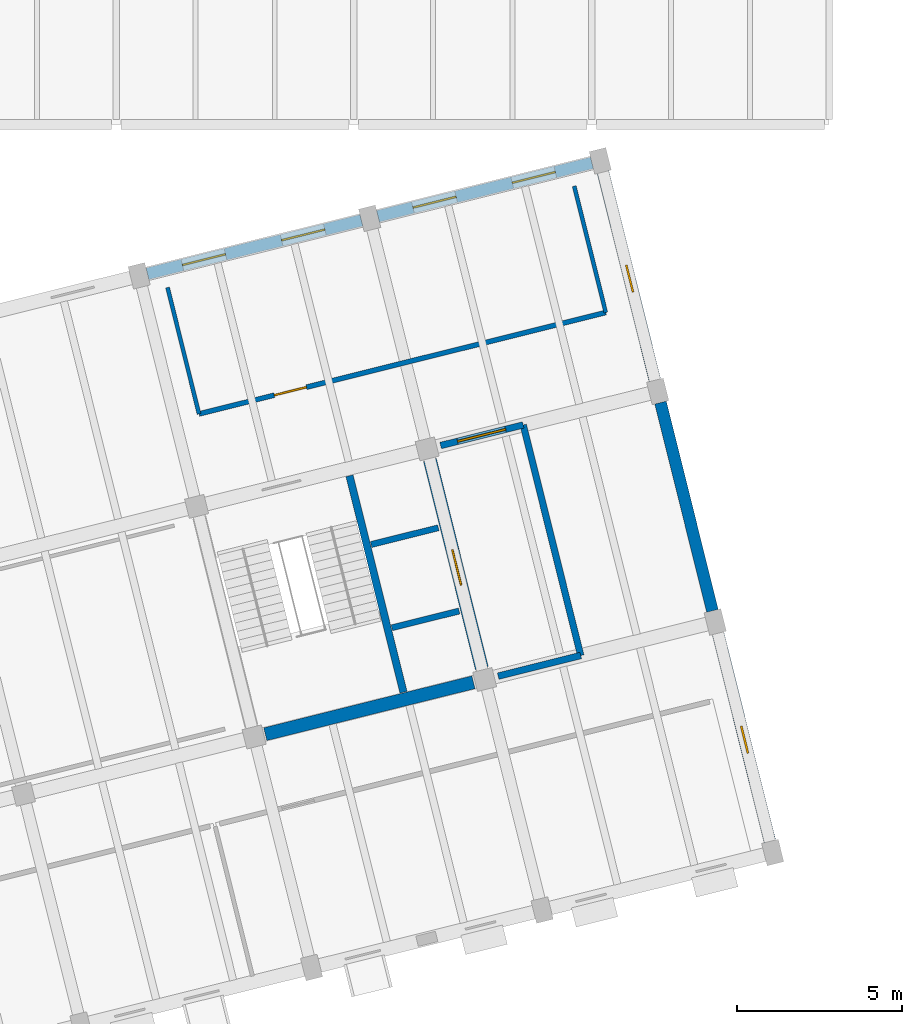
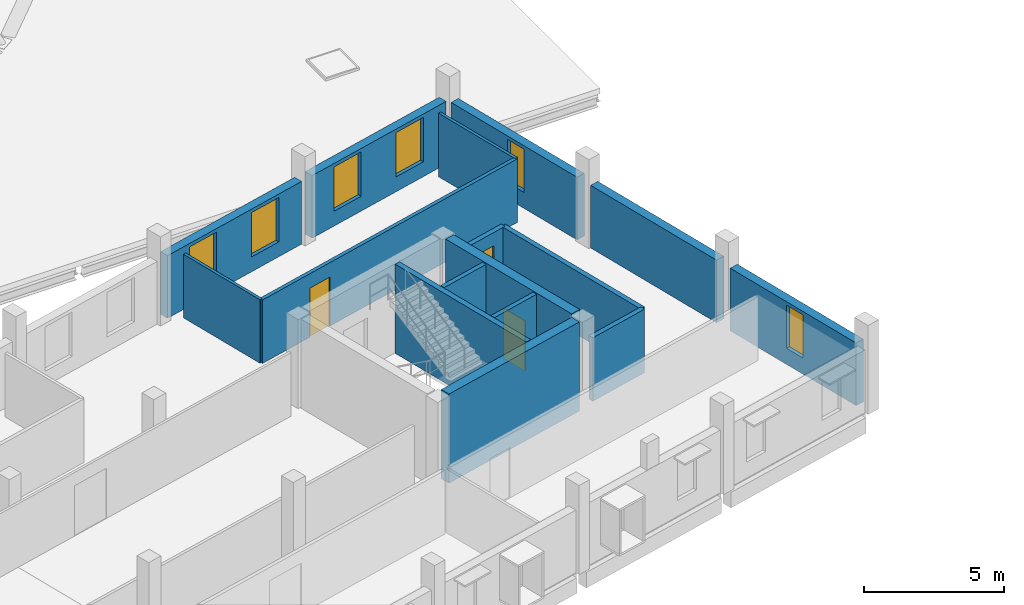
# One storey, part 25 of 32: 16 walls, 6 windows, 3 doors, 9 openings.
"""IFC4 building model written with IfcOpenShell, lengths in metres."""

from ifc_helpers import new_model, si_unit, direction, frame, frame_2d, origin, place, context, subcontext, project, spatial, rectangle, extrude, material, layer, layer_set, type_object, element, fill, save


model = new_model("IFC4")

# Units and contexts
model_context = context("Model", 3, precision=1e-05, world=origin(), true_north=direction((0.0, 1.0)))
body_context = subcontext(model_context, "Body", "Model", "MODEL_VIEW")
ifc_project = project(units=[si_unit("LENGTHUNIT", "METRE"), si_unit("AREAUNIT", "SQUARE_METRE"), si_unit("VOLUMEUNIT", "CUBIC_METRE"), si_unit("PLANEANGLEUNIT", "RADIAN"), si_unit("MASSUNIT", "GRAM", prefix="KILO")], contexts=[model_context])

# Site, building, storey
site_placement = place(None, origin())
site = spatial("IfcSite", under=ifc_project, at=site_placement, CompositionType="ELEMENT")
building_placement = place(site_placement, origin())
building = spatial("IfcBuilding", under=site, at=building_placement, Name="Qiaolan Assembly House", CompositionType="ELEMENT")
storey_placement = place(building_placement, frame((0.0, 0.0, 18.60009765625)))
storey = spatial("IfcBuildingStorey", under=building, at=storey_placement, Name="L04", CompositionType="ELEMENT", Elevation=18.60009765625)

# Wall
ifc_material_1 = material(Name="Concrete C45/55", Category="concrete")
ifc_layer_1 = layer(ifc_material_1, 0.39990234375)
ifc_layer_set_1 = layer_set([ifc_layer_1], Name="Concrete C45/55")
wall_type_1 = type_object("IfcWallType", Name="WAL-CORE-400", PredefinedType="SHEAR", material=ifc_layer_set_1)
wall_1_placement = place(storey_placement, frame((76.5146484375, 17.521728515625, 0.0), z_axis=(0.0, 0.0, 1.0), x_axis=(0.970294759049, 0.241925774902, 0.0)))
element("IfcWall", 1, at=wall_1_placement, inside=storey, type_object=wall_type_1, Name="CW-400 shear core wall CORE-D S L04", PredefinedType="SHEAR", context=body_context, shape_type="SweptSolid", body=[
    extrude(rectangle(XDim=6.5, YDim=0.39990234375, at=frame_2d((3.25, 0.0))), origin(), (0.0, 0.0, 1.0), 3.89990234375),
])

# Wall, opening, door
wall_2_placement = place(storey_placement, frame((83.076416015625, 19.5185546875, 0.0), z_axis=(0.0, 0.0, 1.0), x_axis=(-0.241925774902, 0.970294759049, 0.0)))
wall_2 = element("IfcWall", 2, at=wall_2_placement, inside=storey, type_object=wall_type_1, Name="CW-400 shear core wall CORE-D E L04", PredefinedType="SHEAR", context=body_context, shape_type="SweptSolid", body=[
    extrude(rectangle(XDim=6.5, YDim=0.39990234375, at=frame_2d((3.25, 0.0))), origin(), (0.0, 0.0, 1.0), 3.89990234375),
])
opening_1_placement = place(wall_2_placement, frame((2.60009765625, 0.0, 0.0)))
opening_1 = element("IfcOpeningElement", 3, at=opening_1_placement, cuts=wall_2, Name="Opening LD-062", PredefinedType="OPENING", context=body_context, shape_type="SweptSolid", body=[
    extrude(rectangle(XDim=1.10009765625, YDim=2.199951171875, at=frame_2d((0.550048828125, 1.10009765625))), frame((0.0, 0.2099609375, 0.0), z_axis=(0.0, -1.0, 0.0), x_axis=(1.0, 0.0, 0.0)), (0.0, 0.0, 1.0), 0.419921875),
])
ifc_material_2 = material(Name="Anodised bronze aluminium", Category="aluminium")
door_type_1 = type_object("IfcDoorType", Name="DOR-LIFT-LD1100", OperationType="SLIDING_TO_LEFT", PredefinedType="DOOR", material=ifc_material_2)
door_1_placement = place(opening_1_placement, origin())
door_1 = element("IfcDoor", 4, at=door_1_placement, inside=storey, type_object=door_type_1, Name="Lift landing door LD-062 (LF-08 L04)", OperationType="SLIDING_TO_LEFT", OverallHeight=2.199951171875, OverallWidth=1.10009765625, PredefinedType="DOOR", context=body_context, shape_type="SweptSolid", body=[
    extrude(rectangle(XDim=1.10009765625, YDim=2.199951171875, at=frame_2d((0.550048828125, 1.10009765625))), frame((0.0, 0.02490234375, 0.0), z_axis=(0.0, -1.0, 0.0), x_axis=(1.0, 0.0, 0.0)), (0.0, 0.0, 1.0), 0.050048828125),
])
fill(opening_1, door_1)

# Wall, openings, windows
ifc_material_3 = material(Name="Honed pale limestone", Category="masonry")
ifc_layer_2 = layer(ifc_material_3, 0.360107421875)
ifc_layer_set_2 = layer_set([ifc_layer_2], Name="Honed pale limestone")
wall_type_2 = type_object("IfcWallType", Name="WAL-EXT-LIMESTONE-360", PredefinedType="SOLIDWALL", material=ifc_layer_set_2)
wall_3_placement = place(storey_placement, frame((79.427001953125, 33.0888671875, 0.0), z_axis=(0.0, 0.0, 1.0), x_axis=(-0.970297004388, -0.241916769314, 0.0)))
wall_3 = element("IfcWall", 5, at=wall_3_placement, inside=storey, type_object=wall_type_2, Name="EW-360 SE North court wall L04 bay 6", PredefinedType="SOLIDWALL", context=body_context, shape_type="SweptSolid", body=[
    extrude(rectangle(XDim=6.683837890625, YDim=0.360107421875, at=frame_2d((3.341796875, 0.0))), origin(), (0.0, 0.0, 1.0), 2.739990234375),
])
opening_2_placement = place(wall_3_placement, frame((1.14208984375, 0.0, 0.64990234375)))
opening_2 = element("IfcOpeningElement", 6, at=opening_2_placement, cuts=wall_3, Name="Opening WN-364", PredefinedType="OPENING", context=body_context, shape_type="SweptSolid", body=[
    extrude(rectangle(XDim=1.35009765625, YDim=1.93994140625, at=frame_2d((0.675048828125, 0.969970703125))), frame((0.0, 0.18994140625, 0.0), z_axis=(0.0, -1.0, 0.0), x_axis=(1.0, 0.0, 0.0)), (0.0, 0.0, 1.0), 0.380126953125),
])
opening_3_placement = place(wall_3_placement, frame((4.241943359375, 0.0, 0.64990234375)))
opening_3 = element("IfcOpeningElement", 7, at=opening_3_placement, cuts=wall_3, Name="Opening WN-365", PredefinedType="OPENING", context=body_context, shape_type="SweptSolid", body=[
    extrude(rectangle(XDim=1.35009765625, YDim=1.93994140625, at=frame_2d((0.675048828125, 0.969970703125))), frame((0.0, 0.18994140625, 0.0), z_axis=(0.0, -1.0, 0.0), x_axis=(1.0, 0.0, 0.0)), (0.0, 0.0, 1.0), 0.380126953125),
])
ifc_material_4 = material(Name="Low-E double insulating glass", Category="glass")
window_type_1 = type_object("IfcWindowType", Name="WIN-COURT-1350x2150", PartitioningType="DOUBLE_PANEL_VERTICAL", PredefinedType="WINDOW", material=ifc_material_4)
window_1_placement = place(opening_2_placement, origin())
window_1 = element("IfcWindow", 8, at=window_1_placement, inside=storey, type_object=window_type_1, Name="SE court window WN-364", OverallHeight=1.93994140625, OverallWidth=1.35009765625, PartitioningType="DOUBLE_PANEL_VERTICAL", PredefinedType="WINDOW", context=body_context, shape_type="SweptSolid", body=[
    extrude(rectangle(XDim=1.35009765625, YDim=1.93994140625, at=frame_2d((0.675048828125, 0.969970703125))), frame((0.0, 0.030029296875, 0.0), z_axis=(0.0, -1.0, 0.0), x_axis=(1.0, 0.0, 0.0)), (0.0, 0.0, 1.0), 0.06005859375),
])
fill(opening_2, window_1)
window_2_placement = place(opening_3_placement, origin())
window_2 = element("IfcWindow", 9, at=window_2_placement, inside=storey, type_object=window_type_1, Name="SE court window WN-365", OverallHeight=1.93994140625, OverallWidth=1.35009765625, PartitioningType="DOUBLE_PANEL_VERTICAL", PredefinedType="WINDOW", context=body_context, shape_type="SweptSolid", body=[
    extrude(rectangle(XDim=1.35009765625, YDim=1.93994140625, at=frame_2d((0.675048828125, 0.969970703125))), frame((0.0, 0.030029296875, 0.0), z_axis=(0.0, -1.0, 0.0), x_axis=(1.0, 0.0, 0.0)), (0.0, 0.0, 1.0), 0.06005859375),
])
fill(opening_3, window_2)

wall_4_placement = place(storey_placement, frame((86.4130859375, 34.83056640625, 0.0), z_axis=(0.0, 0.0, 1.0), x_axis=(-0.970297004388, -0.241916769314, 0.0)))
wall_4 = element("IfcWall", 10, at=wall_4_placement, inside=storey, type_object=wall_type_2, Name="EW-360 SE North court wall L04 bay 7", PredefinedType="SOLIDWALL", context=body_context, shape_type="SweptSolid", body=[
    extrude(rectangle(XDim=6.683837890625, YDim=0.360107421875, at=frame_2d((3.341796875, 0.0))), origin(), (0.0, 0.0, 1.0), 2.739990234375),
])
opening_4_placement = place(wall_4_placement, frame((1.14208984375, 0.0, 0.64990234375)))
opening_4 = element("IfcOpeningElement", 11, at=opening_4_placement, cuts=wall_4, Name="Opening WN-366", PredefinedType="OPENING", context=body_context, shape_type="SweptSolid", body=[
    extrude(rectangle(XDim=1.35009765625, YDim=1.93994140625, at=frame_2d((0.675048828125, 0.969970703125))), frame((0.0, 0.18994140625, 0.0), z_axis=(0.0, -1.0, 0.0), x_axis=(1.0, 0.0, 0.0)), (0.0, 0.0, 1.0), 0.380126953125),
])
opening_5_placement = place(wall_4_placement, frame((4.241943359375, 0.0, 0.64990234375)))
opening_5 = element("IfcOpeningElement", 12, at=opening_5_placement, cuts=wall_4, Name="Opening WN-367", PredefinedType="OPENING", context=body_context, shape_type="SweptSolid", body=[
    extrude(rectangle(XDim=1.35009765625, YDim=1.93994140625, at=frame_2d((0.675048828125, 0.969970703125))), frame((0.0, 0.18994140625, 0.0), z_axis=(0.0, -1.0, 0.0), x_axis=(1.0, 0.0, 0.0)), (0.0, 0.0, 1.0), 0.380126953125),
])
window_3_placement = place(opening_4_placement, origin())
window_3 = element("IfcWindow", 13, at=window_3_placement, inside=storey, type_object=window_type_1, Name="SE court window WN-366", OverallHeight=1.93994140625, OverallWidth=1.35009765625, PartitioningType="DOUBLE_PANEL_VERTICAL", PredefinedType="WINDOW", context=body_context, shape_type="SweptSolid", body=[
    extrude(rectangle(XDim=1.35009765625, YDim=1.93994140625, at=frame_2d((0.675048828125, 0.969970703125))), frame((0.0, 0.030029296875, 0.0), z_axis=(0.0, -1.0, 0.0), x_axis=(1.0, 0.0, 0.0)), (0.0, 0.0, 1.0), 0.06005859375),
])
fill(opening_4, window_3)
window_4_placement = place(opening_5_placement, origin())
window_4 = element("IfcWindow", 14, at=window_4_placement, inside=storey, type_object=window_type_1, Name="SE court window WN-367", OverallHeight=1.93994140625, OverallWidth=1.35009765625, PartitioningType="DOUBLE_PANEL_VERTICAL", PredefinedType="WINDOW", context=body_context, shape_type="SweptSolid", body=[
    extrude(rectangle(XDim=1.35009765625, YDim=1.93994140625, at=frame_2d((0.675048828125, 0.969970703125))), frame((0.0, 0.030029296875, 0.0), z_axis=(0.0, -1.0, 0.0), x_axis=(1.0, 0.0, 0.0)), (0.0, 0.0, 1.0), 0.06005859375),
])
fill(opening_5, window_4)

# Wall, opening, window
wall_5_placement = place(storey_placement, frame((91.804931640625, 14.2724609375, 0.0), z_axis=(0.0, 0.0, 1.0), x_axis=(-0.241926152475, 0.970294664908, 0.0)))
wall_5 = element("IfcWall", 15, at=wall_5_placement, inside=storey, type_object=wall_type_2, Name="SE East wall L04-1", PredefinedType="SOLIDWALL", context=body_context, shape_type="SweptSolid", body=[
    extrude(rectangle(XDim=6.50390625, YDim=0.360107421875, at=frame_2d((3.251953125, 0.0))), origin(), (0.0, 0.0, 1.0), 2.739990234375),
])
opening_6_placement = place(wall_5_placement, frame((2.751953125, 0.0, 0.699951171875)))
opening_6 = element("IfcOpeningElement", 16, at=opening_6_placement, cuts=wall_5, Name="Opening WN-368", PredefinedType="OPENING", context=body_context, shape_type="SweptSolid", body=[
    extrude(rectangle(XDim=0.85009765625, YDim=1.889892578125, at=frame_2d((0.425048828125, 0.94482421875))), frame((0.0, 0.18994140625, 0.0), z_axis=(0.0, -1.0, 0.0), x_axis=(1.0, 0.0, 0.0)), (0.0, 0.0, 1.0), 0.380126953125),
])
window_type_2 = type_object("IfcWindowType", Name="WIN-END-850x2200", PartitioningType="SINGLE_PANEL", PredefinedType="WINDOW", material=ifc_material_4)
window_5_placement = place(opening_6_placement, origin())
window_5 = element("IfcWindow", 17, at=window_5_placement, inside=storey, type_object=window_type_2, Name="SE East window WN-368", OverallHeight=1.889892578125, OverallWidth=0.85009765625, PartitioningType="SINGLE_PANEL", PredefinedType="WINDOW", context=body_context, shape_type="SweptSolid", body=[
    extrude(rectangle(XDim=0.85009765625, YDim=1.889892578125, at=frame_2d((0.425048828125, 0.94482421875))), frame((0.0, 0.030029296875, 0.0), z_axis=(0.0, -1.0, 0.0), x_axis=(1.0, 0.0, 0.0)), (0.0, 0.0, 1.0), 0.06005859375),
])
fill(opening_6, window_5)

# Wall
wall_6_placement = place(storey_placement, frame((90.06298828125, 21.258544921875, 0.0), z_axis=(0.0, 0.0, 1.0), x_axis=(-0.241926152475, 0.970294664908, 0.0)))
element("IfcWall", 18, at=wall_6_placement, inside=storey, type_object=wall_type_2, Name="SE East wall L04-2", PredefinedType="SOLIDWALL", context=body_context, shape_type="SweptSolid", body=[
    extrude(rectangle(XDim=6.50390625, YDim=0.360107421875, at=frame_2d((3.251953125, 0.0))), origin(), (0.0, 0.0, 1.0), 2.739990234375),
])

# Wall, opening, window
wall_7_placement = place(storey_placement, frame((88.3212890625, 28.24462890625, 0.0), z_axis=(0.0, 0.0, 1.0), x_axis=(-0.241926152475, 0.970294664908, 0.0)))
wall_7 = element("IfcWall", 19, at=wall_7_placement, inside=storey, type_object=wall_type_2, Name="SE East wall L04-3", PredefinedType="SOLIDWALL", context=body_context, shape_type="SweptSolid", body=[
    extrude(rectangle(XDim=6.50390625, YDim=0.360107421875, at=frame_2d((3.251953125, 0.0))), origin(), (0.0, 0.0, 1.0), 2.739990234375),
])
opening_7_placement = place(wall_7_placement, frame((2.751953125, 0.0, 0.699951171875)))
opening_7 = element("IfcOpeningElement", 20, at=opening_7_placement, cuts=wall_7, Name="Opening WN-369", PredefinedType="OPENING", context=body_context, shape_type="SweptSolid", body=[
    extrude(rectangle(XDim=0.85009765625, YDim=1.889892578125, at=frame_2d((0.425048828125, 0.94482421875))), frame((0.0, 0.18994140625, 0.0), z_axis=(0.0, -1.0, 0.0), x_axis=(1.0, 0.0, 0.0)), (0.0, 0.0, 1.0), 0.380126953125),
])
window_6_placement = place(opening_7_placement, origin())
window_6 = element("IfcWindow", 21, at=window_6_placement, inside=storey, type_object=window_type_2, Name="SE East window WN-369", OverallHeight=1.889892578125, OverallWidth=0.85009765625, PartitioningType="SINGLE_PANEL", PredefinedType="WINDOW", context=body_context, shape_type="SweptSolid", body=[
    extrude(rectangle(XDim=0.85009765625, YDim=1.889892578125, at=frame_2d((0.425048828125, 0.94482421875))), frame((0.0, 0.030029296875, 0.0), z_axis=(0.0, -1.0, 0.0), x_axis=(1.0, 0.0, 0.0)), (0.0, 0.0, 1.0), 0.06005859375),
])
fill(opening_7, window_6)

# Walls
ifc_material_5 = material(Name="Concrete C35/45", Category="concrete")
ifc_layer_3 = layer(ifc_material_5, 0.199951171875)
ifc_layer_set_3 = layer_set([ifc_layer_3], Name="Concrete C35/45")
wall_type_3 = type_object("IfcWallType", Name="WAL-LOBBY-200", PredefinedType="PARTITIONING", material=ifc_layer_set_3)
wall_8_placement = place(storey_placement, frame((86.072021484375, 19.90478515625, 0.0), z_axis=(0.0, 0.0, 1.0), x_axis=(-0.241937193493, 0.970291911955, 0.0)))
element("IfcWall", 22, at=wall_8_placement, inside=storey, type_object=wall_type_3, Name="Firefighting lift lobby east wall CORE-D L04", PredefinedType="PARTITIONING", context=body_context, shape_type="SweptSolid", body=[
    extrude(rectangle(XDim=7.199951171875, YDim=0.199951171875, at=frame_2d((3.60009765625, 0.0))), origin(), (0.0, 0.0, 1.0), 2.77978515625),
])
wall_9_placement = place(storey_placement, frame((83.568603515625, 19.280517578125, 0.0), z_axis=(0.0, 0.0, 1.0), x_axis=(0.970287048366, 0.241956698135, 0.0)))
element("IfcWall", 23, at=wall_9_placement, inside=storey, type_object=wall_type_3, Name="Firefighting lift lobby south wall CORE-D L04", PredefinedType="PARTITIONING", context=body_context, shape_type="SweptSolid", body=[
    extrude(rectangle(XDim=2.580078125, YDim=0.199951171875, at=frame_2d((1.2900390625, 0.0))), origin(), (0.0, 0.0, 1.0), 2.77978515625),
])

# Wall, opening, door
wall_10_placement = place(storey_placement, frame((84.330078125, 26.890869140625, 0.0), z_axis=(0.0, 0.0, 1.0), x_axis=(-0.970309259708, -0.2418676095, 0.0)))
wall_10 = element("IfcWall", 24, at=wall_10_placement, inside=storey, type_object=wall_type_3, Name="Firefighting lift lobby north wall CORE-D L04", PredefinedType="PARTITIONING", context=body_context, shape_type="SweptSolid", body=[
    extrude(rectangle(XDim=2.580078125, YDim=0.199951171875, at=frame_2d((1.2900390625, 0.0))), origin(), (0.0, 0.0, 1.0), 2.77978515625),
])
opening_8_placement = place(wall_10_placement, frame((0.550048828125, 0.0, 0.0)))
opening_8 = element("IfcOpeningElement", 25, at=opening_8_placement, cuts=wall_10, Name="Opening FD-104", PredefinedType="OPENING", context=body_context, shape_type="SweptSolid", body=[
    extrude(rectangle(XDim=1.5, YDim=2.199951171875, at=frame_2d((0.75, 1.10009765625))), frame((0.0, 0.10986328125, 0.0), z_axis=(0.0, -1.0, 0.0), x_axis=(1.0, 0.0, 0.0)), (0.0, 0.0, 1.0), 0.219970703125),
])
ifc_material_6 = material(Name="Acoustic oak panelling")
door_type_2 = type_object("IfcDoorType", Name="DOR-LOBBY-FD60-1500", OperationType="DOUBLE_DOOR_SINGLE_SWING", PredefinedType="DOOR", material=ifc_material_6)
door_2_placement = place(opening_8_placement, frame((1.5, 0.0, 0.0), z_axis=(0.0, 0.0, 1.0), x_axis=(-1.0, 0.0, 0.0)))
door_2 = element("IfcDoor", 26, at=door_2_placement, inside=storey, type_object=door_type_2, Name="Lobby corridor fire door FD-104", OperationType="DOUBLE_DOOR_SINGLE_SWING", OverallHeight=2.199951171875, OverallWidth=1.5, PredefinedType="DOOR", context=body_context, shape_type="SweptSolid", body=[
    extrude(rectangle(XDim=1.5, YDim=2.199951171875, at=frame_2d((0.75, 1.10009765625))), frame((0.0, 0.02490234375, 0.0), z_axis=(0.0, -1.0, 0.0), x_axis=(1.0, 0.0, 0.0)), (0.0, 0.0, 1.0), 0.050048828125),
])
fill(opening_8, door_2)

# Walls
ifc_material_7 = material(Name="Gypsum plasterboard partition")
ifc_layer_4 = layer(ifc_material_7, 0.1201171875)
ifc_layer_set_4 = layer_set([ifc_layer_4], Name="Gypsum plasterboard partition")
wall_type_4 = type_object("IfcWallType", Name="WAL-PART-120", PredefinedType="PARTITIONING", material=ifc_layer_set_4)
wall_11_placement = place(storey_placement, frame((74.507568359375, 27.224609375, 0.0), z_axis=(0.0, 0.0, 1.0), x_axis=(-0.241924747697, 0.970295015164, 0.0)))
element("IfcWall", 27, at=wall_11_placement, inside=storey, type_object=wall_type_4, Name="Boulevard Wing Project Office L04 west wall", PredefinedType="PARTITIONING", context=body_context, shape_type="SweptSolid", body=[
    extrude(rectangle(XDim=3.949951171875, YDim=0.1201171875, at=frame_2d((1.97509765625, 0.0))), origin(), (0.0, 0.0, 1.0), 2.77978515625),
])
wall_12_placement = place(storey_placement, frame((85.874755859375, 34.129638671875, 0.0), z_axis=(0.0, 0.0, 1.0), x_axis=(0.241910239337, -0.970298632434, 0.0)))
element("IfcWall", 28, at=wall_12_placement, inside=storey, type_object=wall_type_4, Name="Boulevard Wing Project Office L04 east wall", PredefinedType="PARTITIONING", context=body_context, shape_type="SweptSolid", body=[
    extrude(rectangle(XDim=3.9501953125, YDim=0.1201171875, at=frame_2d((1.97509765625, 0.0))), origin(), (0.0, 0.0, 1.0), 2.77978515625),
])

# Wall, opening, door
ifc_layer_5 = layer(ifc_material_7, 0.14990234375)
ifc_layer_set_5 = layer_set([ifc_layer_5], Name="Gypsum plasterboard partition")
wall_type_5 = type_object("IfcWallType", Name="WAL-PART-150", PredefinedType="PARTITIONING", material=ifc_layer_set_5)
wall_13_placement = place(storey_placement, frame((74.507568359375, 27.224609375, 0.0), z_axis=(0.0, 0.0, 1.0), x_axis=(0.970298350757, 0.241911369139, 0.0)))
wall_13 = element("IfcWall", 29, at=wall_13_placement, inside=storey, type_object=wall_type_5, Name="Boulevard Wing Project Office L04 south wall", PredefinedType="PARTITIONING", context=body_context, shape_type="SweptSolid", body=[
    extrude(rectangle(XDim=12.699951171875, YDim=0.14990234375, at=frame_2d((6.35009765625, 0.0))), origin(), (0.0, 0.0, 1.0), 2.77978515625),
])
opening_9_placement = place(wall_13_placement, frame((2.35009765625, 0.0, 0.0)))
opening_9 = element("IfcOpeningElement", 30, at=opening_9_placement, cuts=wall_13, Name="Opening SD-267", PredefinedType="OPENING", context=body_context, shape_type="SweptSolid", body=[
    extrude(rectangle(XDim=1.0, YDim=2.14990234375, at=frame_2d((0.5, 1.074951171875))), frame((0.0, 0.0849609375, 0.0), z_axis=(0.0, -1.0, 0.0), x_axis=(1.0, 0.0, 0.0)), (0.0, 0.0, 1.0), 0.169921875),
])
door_type_3 = type_object("IfcDoorType", Name="DOR-OFF-SGL-1000", OperationType="NOTDEFINED", PredefinedType="DOOR", material=ifc_material_6)
door_3_placement = place(opening_9_placement, origin())
door_3 = element("IfcDoor", 31, at=door_3_placement, inside=storey, type_object=door_type_3, Name="Boulevard Wing Project Office L04 door SD-267", OperationType="SINGLE_SWING_LEFT", OverallHeight=2.14990234375, OverallWidth=1.0, PredefinedType="DOOR", context=body_context, shape_type="SweptSolid", body=[
    extrude(rectangle(XDim=1.0, YDim=2.14990234375, at=frame_2d((0.5, 1.074951171875))), frame((0.0, 0.02490234375, 0.0), z_axis=(0.0, -1.0, 0.0), x_axis=(1.0, 0.0, 0.0)), (0.0, 0.0, 1.0), 0.050048828125),
])
fill(opening_9, door_3)

# Walls
ifc_layer_6 = layer(ifc_material_5, 0.18505859375)
ifc_layer_set_6 = layer_set([ifc_layer_6], Name="Concrete C35/45")
wall_type_6 = type_object("IfcWallType", Name="WAL-SHAFT-200", PredefinedType="PARTITIONING", material=ifc_layer_set_6)
for number, where, z_axis, x_axis, name in (
    (32, (80.3486328125, 20.7451171875, 0.0), (0.0, 0.0, 1.0), (0.970292765557, 0.241933770084, 0.0), "SW-200 lift shaft wall LF-08 L04 DIVS"),
    (33, (79.7197265625, 23.267822265625, 0.0), (0.0, 0.0, 1.0), (0.970292765557, 0.241933770084, 0.0), "SW-200 lift shaft wall LF-08 L04 DIVN"),
):
    element("IfcWall", number, at=place(storey_placement, frame(where, z_axis=z_axis, x_axis=x_axis)), inside=storey, type_object=wall_type_6, Name=name, PredefinedType="PARTITIONING", context=body_context, shape_type="SweptSolid", body=[
        extrude(rectangle(XDim=2.10009765625, YDim=0.18505859375, at=frame_2d((1.050048828125, 0.0))), origin(), (0.0, 0.0, 1.0), 3.89990234375),
    ])
ifc_material_8 = material(Name="Concrete C40/50", Category="concrete")
ifc_layer_7 = layer(ifc_material_8, 0.22509765625)
ifc_layer_set_7 = layer_set([ifc_layer_7], Name="Concrete C40/50")
wall_type_7 = type_object("IfcWallType", Name="WAL-STAIR-DIV-225", PredefinedType="SHEAR", material=ifc_layer_set_7)
wall_14_placement = place(storey_placement, frame((80.701416015625, 18.79248046875, 0.0), z_axis=(0.0, 0.0, 1.0), x_axis=(-0.241898249226, 0.970301621673, 0.0)))
element("IfcWall", 34, at=wall_14_placement, inside=storey, type_object=wall_type_7, Name="SDW-225 stairwell structural spine wall CORE-D L04", PredefinedType="SHEAR", context=body_context, shape_type="SweptSolid", body=[
    extrude(rectangle(XDim=6.760009765625, YDim=0.22509765625, at=frame_2d((3.3798828125, 0.0))), origin(), (0.0, 0.0, 1.0), 3.89990234375),
])

save(model, "model.ifc")
